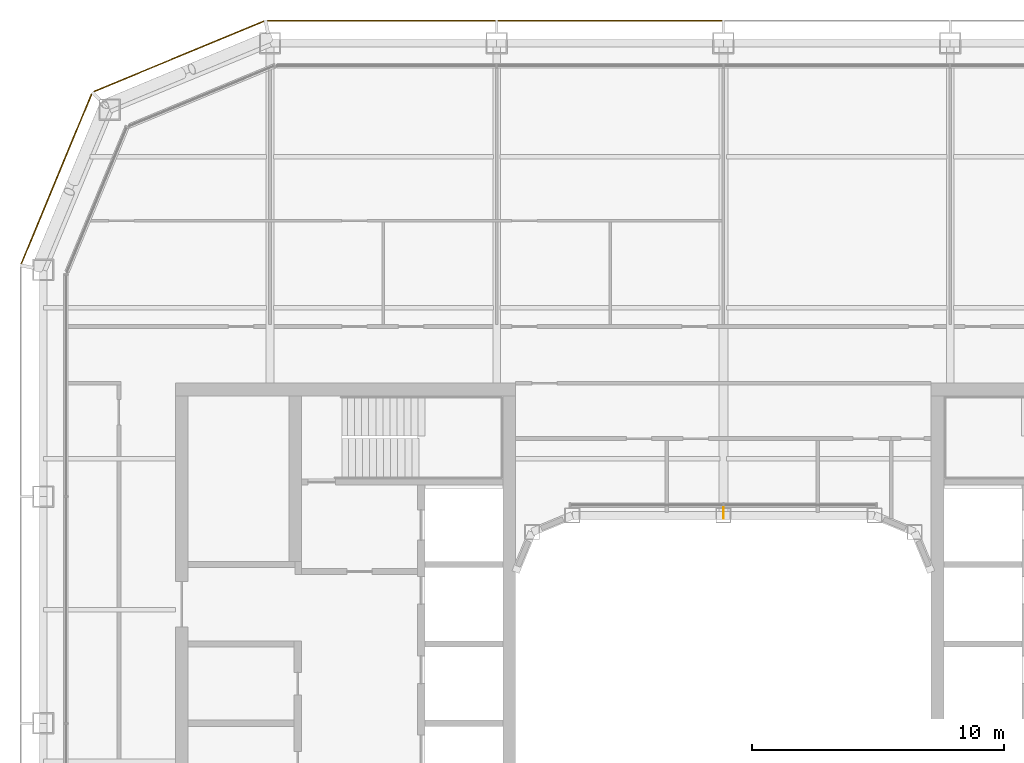
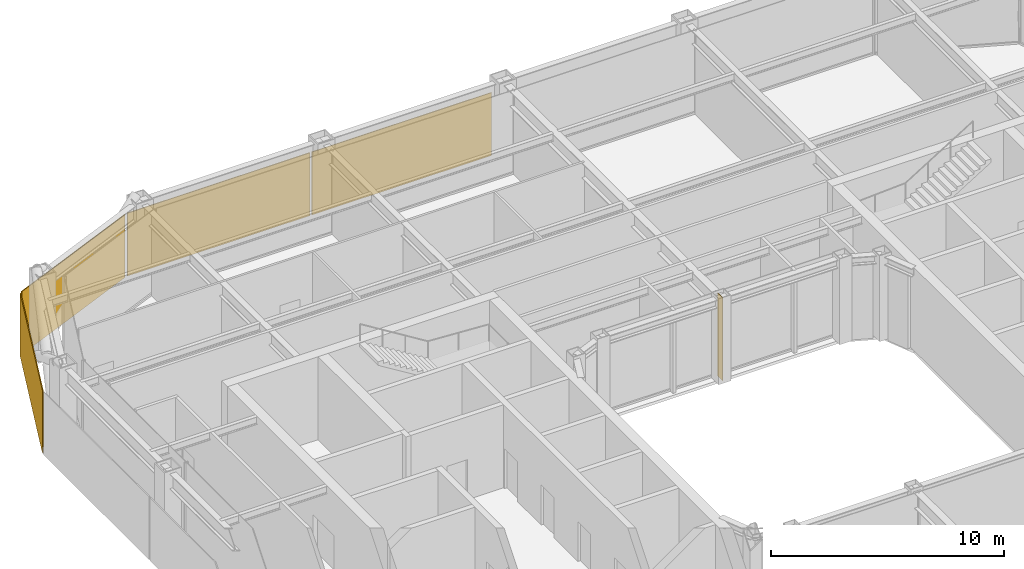
# One storey, part 18 of 19: 4 coverings, 1 shading device.
"""IFC4 building model written with IfcOpenShell, lengths in metres."""

from ifc_helpers import new_model, si_unit, direction, frame, origin, origin_2d, place, context, subcontext, project, spatial, rectangle, extrude, material, layer, layer_set, type_object, element, save


model = new_model("IFC4")

# Units and contexts
model_context = context("Model", 3, precision=1e-05, world=origin(), true_north=direction((0.0, 1.0)))
body_context = subcontext(model_context, "Body", "Model", "MODEL_VIEW")
ifc_project = project(units=[si_unit("LENGTHUNIT", "METRE"), si_unit("AREAUNIT", "SQUARE_METRE"), si_unit("VOLUMEUNIT", "CUBIC_METRE"), si_unit("PLANEANGLEUNIT", "RADIAN"), si_unit("MASSUNIT", "GRAM", prefix="KILO")], contexts=[model_context])

# Site, building, storey
site_placement = place(None, origin())
site = spatial("IfcSite", under=ifc_project, at=site_placement, CompositionType="ELEMENT")
building_placement = place(site_placement, origin())
building = spatial("IfcBuilding", under=site, at=building_placement, Name="Siwar Civic Tower", CompositionType="ELEMENT")
storey_placement = place(building_placement, frame((0.0, 0.0, 228.699951171875)))
storey = spatial("IfcBuildingStorey", under=building, at=storey_placement, Name="L49", CompositionType="ELEMENT", Elevation=228.699951171875)

# Shading device
ifc_material_1 = material(Name="Aluminium 6063-T6", Category="aluminium")
ifc_layer_1 = layer(ifc_material_1, 0.02001953125)
ifc_layer_set_1 = layer_set([ifc_layer_1], Name="Aluminium 6063-T6")
shading_device_type = type_object("IfcShadingDeviceType", Name="ENV-FIN", PredefinedType="JALOUSIE", material=ifc_layer_set_1)
shading_device_placement = place(storey_placement, frame((0.0, 8.344970703125, 0.0), z_axis=(0.0, 0.0, 1.0), x_axis=(-1.0, 0.0, 0.0)))
element("IfcShadingDevice", 1, at=shading_device_placement, inside=storey, type_object=shading_device_type, Name="SUNSHADE fin WN 1", PredefinedType="JALOUSIE", context=body_context, shape_type="SweptSolid", body=[
    extrude(rectangle(XDim=0.02001953125, YDim=0.449951171875, at=origin_2d()), origin(), (0.0, 0.0, 1.0), 4.35009765625),
])

# Coverings
ifc_material_2 = material(Name="Perforated aluminium cassette, pale metal", Category="aluminium")
ifc_layer_2 = layer(ifc_material_2, 0.0400390625)
ifc_layer_set_2 = layer_set([ifc_layer_2], Name="Perforated aluminium cassette, pale metal")
covering_type_1 = type_object("IfcCoveringType", Name="ENV-OUTER SKIN OS-1", PredefinedType="CLADDING", material=ifc_layer_set_2)
covering_1_placement = place(storey_placement, frame((-4.5, 27.89990234375, -0.14990234375), z_axis=(0.0, 0.0, 1.0), x_axis=(-1.0, 0.0, 0.0)))
element("IfcCovering", 2, at=covering_1_placement, inside=storey, type_object=covering_type_1, Name="OUTER SKIN OS-1 N 3", PredefinedType="CLADDING", context=body_context, shape_type="SweptSolid", body=[
    extrude(rectangle(XDim=8.89990234375, YDim=0.0400390625, at=origin_2d()), origin(), (0.0, 0.0, 1.0), 3.300048828125),
])
covering_2_placement = place(storey_placement, frame((-13.57958984375, 27.89990234375, -0.14990234375), z_axis=(0.0, 0.0, 1.0), x_axis=(-1.0, 0.0, 0.0)))
element("IfcCovering", 3, at=covering_2_placement, inside=storey, type_object=covering_type_1, Name="OUTER SKIN OS-1 N 4", PredefinedType="CLADDING", context=body_context, shape_type="SweptSolid", body=[
    extrude(rectangle(XDim=9.05908203125, YDim=0.0400390625, at=origin_2d()), origin(), (0.0, 0.0, 1.0), 3.300048828125),
])
covering_3_placement = place(storey_placement, frame((-21.615966796875, 26.476318359375, -0.14990234375), z_axis=(0.0, 0.0, 1.0), x_axis=(-0.923879532511, -0.382683432365, 0.0)))
element("IfcCovering", 4, at=covering_3_placement, inside=storey, type_object=covering_type_1, Name="OUTER SKIN OS-1 NW1 1", PredefinedType="CLADDING", context=body_context, shape_type="SweptSolid", body=[
    extrude(rectangle(XDim=7.300048828125, YDim=0.0400390625, at=origin_2d()), origin(), (0.0, 0.0, 1.0), 3.300048828125),
])
ifc_material_3 = material(Name="Perforated aluminium cassette, pale metal", Category="aluminium")
ifc_layer_3 = layer(ifc_material_3, 0.044921875)
ifc_layer_set_3 = layer_set([ifc_layer_3], Name="Perforated aluminium cassette, pale metal")
covering_type_2 = type_object("IfcCoveringType", Name="ENV-OUTER SKIN OS-2", PredefinedType="CLADDING", material=ifc_layer_set_3)
covering_4_placement = place(storey_placement, frame((-26.476318359375, 21.615966796875, -0.14990234375), z_axis=(0.0, 0.0, 1.0), x_axis=(-0.382683432365, -0.923879532511, 0.0)))
element("IfcCovering", 5, at=covering_4_placement, inside=storey, type_object=covering_type_2, Name="OUTER SKIN OS-2 NW2 1", PredefinedType="CLADDING", context=body_context, shape_type="SweptSolid", body=[
    extrude(rectangle(XDim=7.300048828125, YDim=0.044921875, at=origin_2d()), origin(), (0.0, 0.0, 1.0), 3.300048828125),
])

save(model, "model.ifc")
